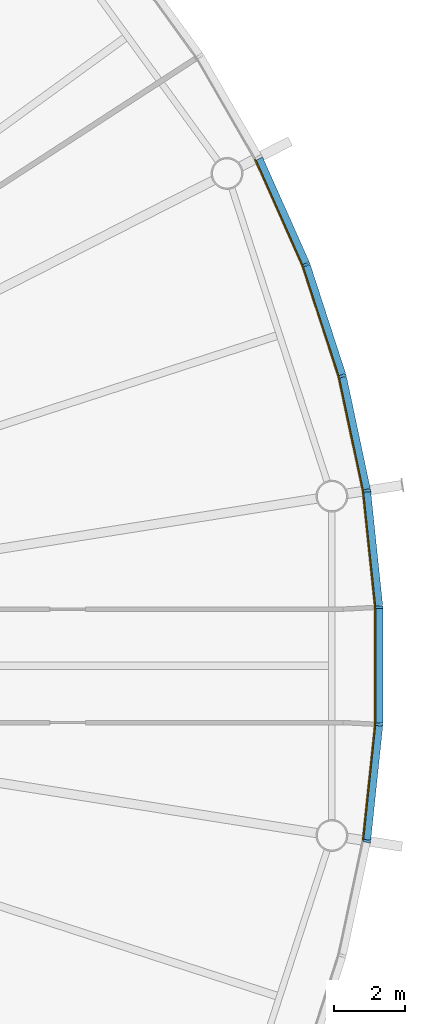
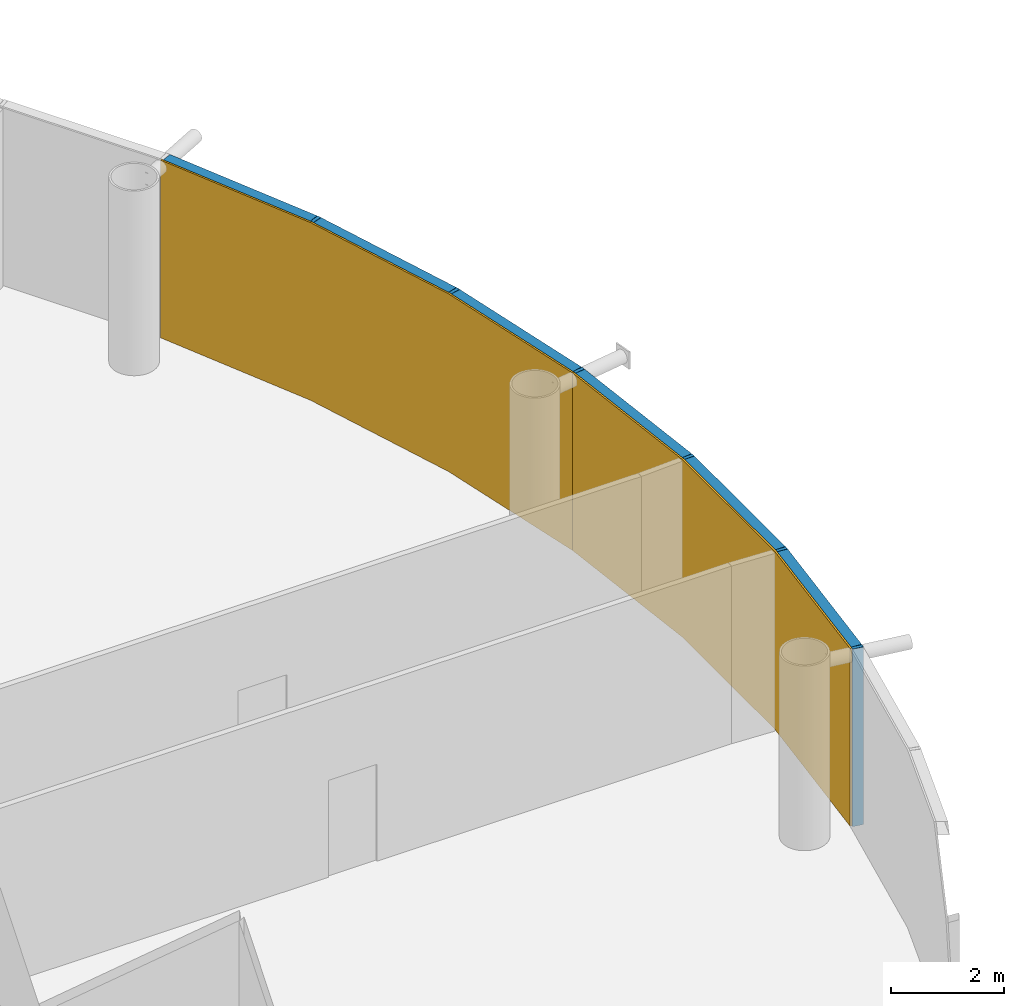
# One storey, part 17 of 19: 12 members, 2 curtain walls.
"""IFC4 building model written with IfcOpenShell, lengths in metres."""

from ifc_helpers import new_model, si_unit, direction, frame, origin, origin_2d, place, context, subcontext, project, spatial, polyline, rectangle, outline, extrude, material, layer, layer_set, material_profile, profile_set, type_object, element, aggregate, save


model = new_model("IFC4")

# Units and contexts
model_context = context("Model", 3, precision=1e-05, world=origin(), true_north=direction((0.0, 1.0)))
body_context = subcontext(model_context, "Body", "Model", "MODEL_VIEW")
ifc_project = project(units=[si_unit("LENGTHUNIT", "METRE"), si_unit("AREAUNIT", "SQUARE_METRE"), si_unit("VOLUMEUNIT", "CUBIC_METRE"), si_unit("PLANEANGLEUNIT", "RADIAN"), si_unit("MASSUNIT", "GRAM", prefix="KILO")], contexts=[model_context])

# Member
ifc_material_1 = material(Name="Anodised aluminium", Category="aluminium")
ifc_material_profile_1 = material_profile(ifc_material_1, rectangle(XDim=0.070068359375, YDim=0.205078125, at=origin_2d()), Name="Mullion 70 x 205 mm anodised aluminium")
ifc_profile_set_1 = profile_set([ifc_material_profile_1], Name="Anodised aluminium")
member_type_1 = type_object("IfcMemberType", Name="Mullion 70 x 205 mm anodised aluminium", PredefinedType="MULLION", material=ifc_profile_set_1)
site_placement = place(None, origin())
building_placement = place(site_placement, origin())
storey_placement = place(building_placement, frame((0.0, 0.0, 368.0)))
member_1_placement = place(storey_placement, frame((121.21337890625, 84.943603515625, 0.0), z_axis=(0.0, 0.0, 1.0), x_axis=(-0.15643446504, 0.987688340595, 0.0)))
member_1 = element("IfcMember", 1, at=member_1_placement, type_object=member_type_1, Name="MULLION L85-00", PredefinedType="MULLION", context=body_context, shape_type="SweptSolid", body=[
    extrude(rectangle(XDim=0.070068359375, YDim=0.205078125, at=origin_2d()), origin(), (0.0, 0.0, 1.0), 3.85009765625),
])

member_2_placement = place(storey_placement, frame((120.525634765625, 88.179443359375, 0.0), z_axis=(0.0, 0.0, 1.0), x_axis=(-0.258819045103, 0.965925826289, 0.0)))
member_2 = element("IfcMember", 2, at=member_2_placement, type_object=member_type_1, Name="MULLION L85-01", PredefinedType="MULLION", context=body_context, shape_type="SweptSolid", body=[
    extrude(rectangle(XDim=0.070068359375, YDim=0.205078125, at=origin_2d()), origin(), (0.0, 0.0, 1.0), 3.85009765625),
])

member_3_placement = place(storey_placement, frame((119.50341796875, 91.325439453125, 0.0), z_axis=(0.0, 0.0, 1.0), x_axis=(-0.358367949545, 0.933580426497, 0.0)))
member_3 = element("IfcMember", 3, at=member_3_placement, type_object=member_type_1, Name="MULLION L85-02", PredefinedType="MULLION", context=body_context, shape_type="SweptSolid", body=[
    extrude(rectangle(XDim=0.070068359375, YDim=0.205078125, at=origin_2d()), origin(), (0.0, 0.0, 1.0), 3.85009765625),
])

member_4_placement = place(storey_placement, frame((121.21337890625, 75.056396484375, 0.0), z_axis=(0.0, 0.0, 1.0), x_axis=(0.15643446504, 0.987688340595, 0.0)))
member_4 = element("IfcMember", 4, at=member_4_placement, type_object=member_type_1, Name="MULLION L85-57", PredefinedType="MULLION", context=body_context, shape_type="SweptSolid", body=[
    extrude(rectangle(XDim=0.070068359375, YDim=0.205078125, at=origin_2d()), origin(), (0.0, 0.0, 1.0), 3.85009765625),
])

member_5_placement = place(storey_placement, frame((121.55908203125, 78.345947265625, 0.0), z_axis=(0.0, 0.0, 1.0), x_axis=(0.052335956243, 0.998629534755, 0.0)))
member_5 = element("IfcMember", 5, at=member_5_placement, type_object=member_type_1, Name="MULLION L85-58", PredefinedType="MULLION", context=body_context, shape_type="SweptSolid", body=[
    extrude(rectangle(XDim=0.070068359375, YDim=0.205078125, at=origin_2d()), origin(), (0.0, 0.0, 1.0), 3.85009765625),
])

member_6_placement = place(storey_placement, frame((121.55908203125, 81.654052734375, 0.0), z_axis=(0.0, 0.0, 1.0), x_axis=(-0.052335956243, 0.998629534755, 0.0)))
member_6 = element("IfcMember", 6, at=member_6_placement, type_object=member_type_1, Name="MULLION L85-59", PredefinedType="MULLION", context=body_context, shape_type="SweptSolid", body=[
    extrude(rectangle(XDim=0.070068359375, YDim=0.205078125, at=origin_2d()), origin(), (0.0, 0.0, 1.0), 3.85009765625),
])

ifc_material_2 = material(Name="Anodised aluminium", Category="aluminium")
ifc_material_profile_2 = material_profile(ifc_material_2, rectangle(XDim=0.205078125, YDim=0.195068359375, at=origin_2d()), Name="Transom 195 x 205 mm anodised aluminium")
ifc_profile_set_2 = profile_set([ifc_material_profile_2], Name="Anodised aluminium")
member_type_2 = type_object("IfcMemberType", Name="Transom 195 x 205 mm anodised aluminium", PredefinedType="USERDEFINED", material=ifc_profile_set_2)
member_7_placement = place(storey_placement, frame((121.205078125, 84.983154296875, 3.75244140625), z_axis=(-0.207885898771, 0.978153082647, 0.0), x_axis=(-0.978153082647, -0.207885898771, 0.0)))
member_7 = element("IfcMember", 7, at=member_7_placement, type_object=member_type_2, Name="TRANSOM L85-00", ObjectType="TRANSOM", PredefinedType="USERDEFINED", context=body_context, shape_type="SweptSolid", body=[
    extrude(rectangle(XDim=0.205078125, YDim=0.195068359375, at=origin_2d()), origin(), (0.0, 0.0, 1.0), 3.227294921875),
])

member_8_placement = place(storey_placement, frame((120.513427734375, 88.2177734375, 3.75244140625), z_axis=(-0.309046726844, 0.951046855117, 0.0), x_axis=(-0.951046855117, -0.309046726844, 0.0)))
member_8 = element("IfcMember", 8, at=member_8_placement, type_object=member_type_2, Name="TRANSOM L85-01", ObjectType="TRANSOM", PredefinedType="USERDEFINED", context=body_context, shape_type="SweptSolid", body=[
    extrude(rectangle(XDim=0.205078125, YDim=0.195068359375, at=origin_2d()), origin(), (0.0, 0.0, 1.0), 3.22705078125),
])

member_9_placement = place(storey_placement, frame((119.4873046875, 91.3623046875, 3.75244140625), z_axis=(-0.406791170024, 0.913521178731, 0.0), x_axis=(-0.913521178731, -0.406791170024, 0.0)))
member_9 = element("IfcMember", 9, at=member_9_placement, type_object=member_type_2, Name="TRANSOM L85-02", ObjectType="TRANSOM", PredefinedType="USERDEFINED", context=body_context, shape_type="SweptSolid", body=[
    extrude(rectangle(XDim=0.205078125, YDim=0.195068359375, at=origin_2d()), origin(), (0.0, 0.0, 1.0), 3.22705078125),
])

member_10_placement = place(storey_placement, frame((121.2177734375, 75.096435546875, 3.75244140625), z_axis=(0.104550890115, 0.994519537956, 0.0), x_axis=(-0.994519537956, 0.104550890115, 0.0)))
member_10 = element("IfcMember", 10, at=member_10_placement, type_object=member_type_2, Name="TRANSOM L85-57", ObjectType="TRANSOM", PredefinedType="USERDEFINED", context=body_context, shape_type="SweptSolid", body=[
    extrude(rectangle(XDim=0.205078125, YDim=0.195068359375, at=origin_2d()), origin(), (0.0, 0.0, 1.0), 3.22705078125),
])

member_11_placement = place(storey_placement, frame((121.559326171875, 78.386474609375, 3.75244140625), z_axis=(0.0, 1.0, 0.0), x_axis=(-1.0, 0.0, 0.0)))
member_11 = element("IfcMember", 11, at=member_11_placement, type_object=member_type_2, Name="TRANSOM L85-58", ObjectType="TRANSOM", PredefinedType="USERDEFINED", context=body_context, shape_type="SweptSolid", body=[
    extrude(rectangle(XDim=0.205078125, YDim=0.195068359375, at=origin_2d()), origin(), (0.0, 0.0, 1.0), 3.22705078125),
])

member_12_placement = place(storey_placement, frame((121.55517578125, 81.694091796875, 3.75244140625), z_axis=(-0.104550890115, 0.994519537956, 0.0), x_axis=(-0.994519537956, -0.104550890115, 0.0)))
member_12 = element("IfcMember", 12, at=member_12_placement, type_object=member_type_2, Name="TRANSOM L85-59", ObjectType="TRANSOM", PredefinedType="USERDEFINED", context=body_context, shape_type="SweptSolid", body=[
    extrude(rectangle(XDim=0.205078125, YDim=0.195068359375, at=origin_2d()), origin(), (0.0, 0.0, 1.0), 3.22705078125),
])

# Site, building, storey
site = spatial("IfcSite", under=ifc_project, at=site_placement, CompositionType="ELEMENT")
building = spatial("IfcBuilding", under=site, at=building_placement, Name="Entoto Ring Tower", CompositionType="ELEMENT")
storey = spatial("IfcBuildingStorey", under=building, at=storey_placement, Name="L85", CompositionType="ELEMENT", Elevation=368.0)

# Curtain wall
ifc_material_3 = material(Name="Clear low-iron glass", Category="glass")
ifc_layer = layer(ifc_material_3, 0.035888671875)
ifc_layer_set = layer_set([ifc_layer], Name="Clear low-iron glass")
curtain_wall_type = type_object("IfcCurtainWallType", Name="Curtain wall system CW6 glazing 36 mm", PredefinedType="NOTDEFINED", material=ifc_layer_set)
curtain_wall_1_placement = place(storey_placement, origin())
curtain_wall_1 = element("IfcCurtainWall", 13, at=curtain_wall_1_placement, inside=storey, type_object=curtain_wall_type, Name="CW6 L85-01", PredefinedType="NOTDEFINED", context=body_context, shape_type="SweptSolid", body=[
    extrude(outline(polyline([(121.1123046875, 84.927734375), (120.4267578125, 88.15283203125), (119.40771484375, 91.28857421875), (118.066650390625, 94.30078125), (118.03466796875, 94.284423828125), (119.3740234375, 91.275634765625), (120.391845703125, 88.1435546875), (121.07666015625, 84.922119140625), (121.1123046875, 84.927734375)])), origin(), (0.0, 0.0, 1.0), 3.85009765625),
])

aggregate(curtain_wall_1, [member_1, member_2, member_3, member_7, member_8, member_9])

curtain_wall_2_placement = place(storey_placement, origin())
curtain_wall_2 = element("IfcCurtainWall", 14, at=curtain_wall_2_placement, inside=storey, type_object=curtain_wall_type, Name="CW6 L85-20", PredefinedType="NOTDEFINED", context=body_context, shape_type="SweptSolid", body=[
    extrude(outline(polyline([(121.1123046875, 75.072265625), (121.456787109375, 78.351318359375), (121.456787109375, 81.648681640625), (121.1123046875, 84.927734375), (121.07666015625, 84.922119140625), (121.4208984375, 81.646728515625), (121.4208984375, 78.353271484375), (121.07666015625, 75.077880859375), (121.1123046875, 75.072265625)])), origin(), (0.0, 0.0, 1.0), 3.85009765625),
])

aggregate(curtain_wall_2, [member_4, member_5, member_6, member_10, member_11, member_12])

save(model, "model.ifc")
